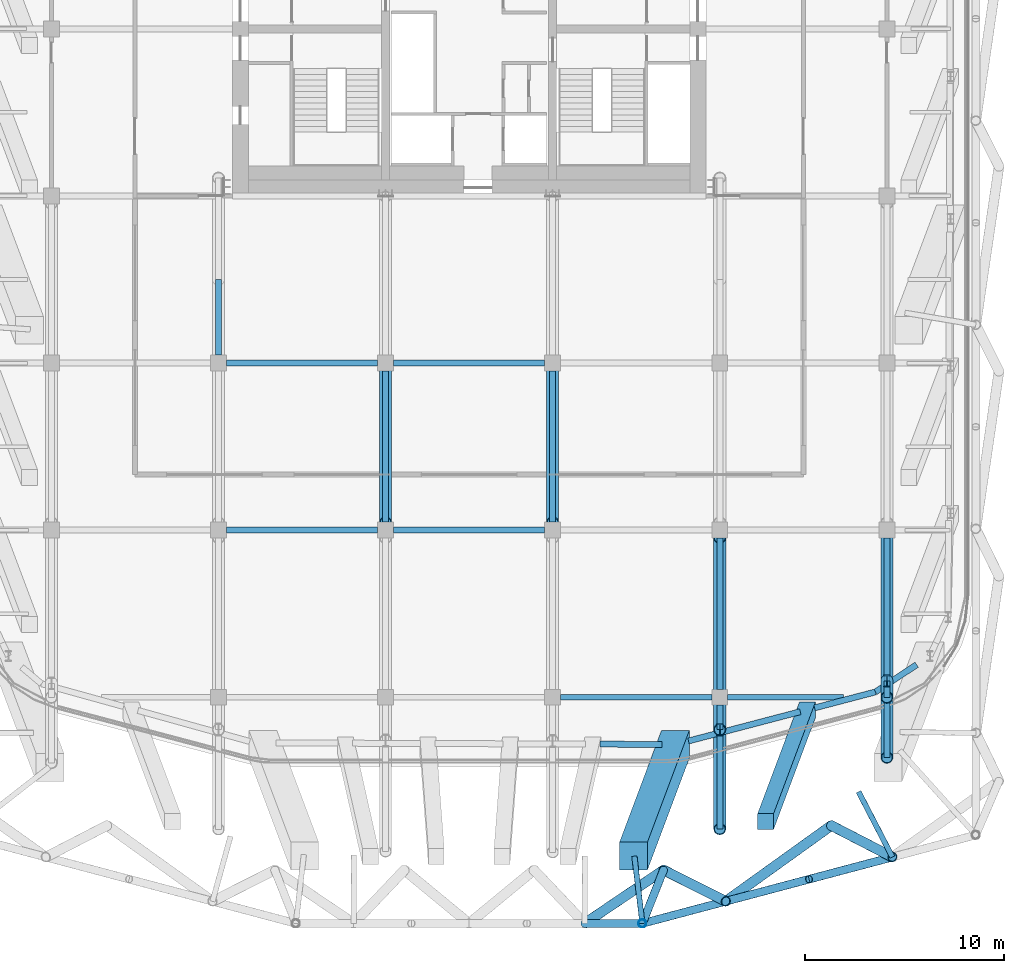
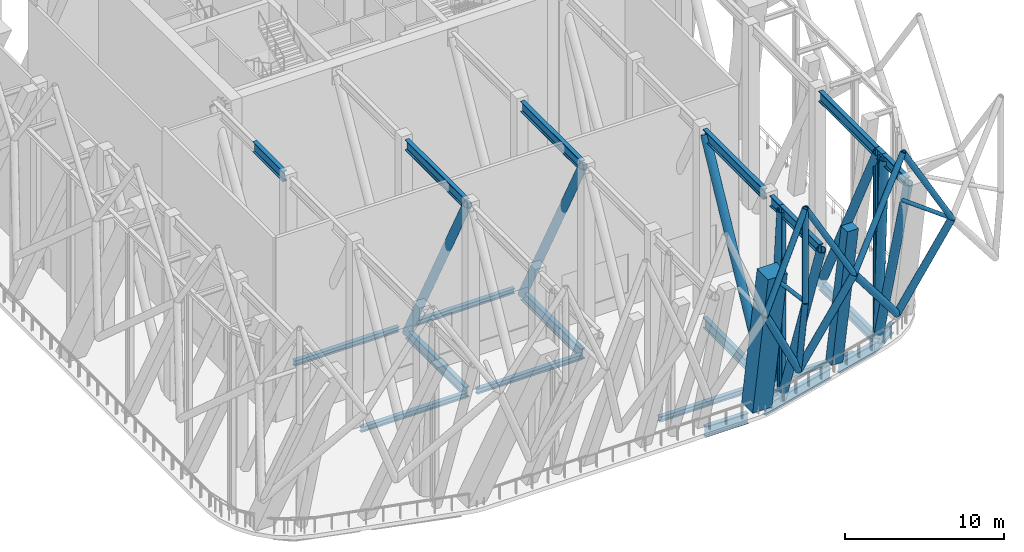
# One storey, part 4 of 20: 32 beams, 16 members.
"""IFC4 building model written with IfcOpenShell, lengths in metres."""

from ifc_helpers import new_model, si_unit, direction, frame, origin, origin_2d, place, context, subcontext, project, spatial, rectangle, hollow_circle, i_section, extrude, material, material_profile, profile_set, type_object, element, save


model = new_model("IFC4")

# Units and contexts
model_context = context("Model", 3, precision=1e-05, world=origin(), true_north=direction((0.0, 1.0)))
body_context = subcontext(model_context, "Body", "Model", "MODEL_VIEW")
ifc_project = project(units=[si_unit("LENGTHUNIT", "METRE"), si_unit("AREAUNIT", "SQUARE_METRE"), si_unit("VOLUMEUNIT", "CUBIC_METRE"), si_unit("PLANEANGLEUNIT", "RADIAN"), si_unit("MASSUNIT", "GRAM", prefix="KILO")], contexts=[model_context])

# Site, building, storey
site_placement = place(None, origin())
site = spatial("IfcSite", under=ifc_project, at=site_placement, CompositionType="ELEMENT")
building_placement = place(site_placement, origin())
building = spatial("IfcBuilding", under=site, at=building_placement, Name="Marenta Gate Hotel Tower", CompositionType="ELEMENT")
storey_placement = place(building_placement, frame((0.0, 0.0, 252.5)))
storey = spatial("IfcBuildingStorey", under=building, at=storey_placement, Name="L60", CompositionType="ELEMENT", Elevation=252.5)

# Members
ifc_material_1 = material(Name="Steel S355J2W", Category="steel")
ifc_material_profile_1 = material_profile(ifc_material_1, hollow_circle(Radius=0.203125, WallThickness=0.02490234375, at=origin_2d()), Name="CHS 406.4x25")
ifc_profile_set_1 = profile_set([ifc_material_profile_1], Name="Steel S355J2W")
member_type_1 = type_object("IfcMemberType", Name="Diagrid corner post Z3 CHS 406.4x25", PredefinedType="POST", material=ifc_profile_set_1)
member_1_placement = place(storey_placement, frame((9.77392578125, -33.885009765625, 6.739990234375), z_axis=(-0.137274232816, -0.34611233666, 0.928095919298), x_axis=(0.929556929087, -0.368678607445, 0.0)))
element("IfcMember", 1, at=member_1_placement, inside=storey, type_object=member_type_1, Name="L60-DR-3", PredefinedType="POST", context=body_context, shape_type="SweptSolid", body=[
    extrude(hollow_circle(Radius=0.203125, WallThickness=0.02490234375, at=origin_2d()), origin(), (0.0, 0.0, 1.0), 7.7578125),
])
ifc_material_2 = material(Name="Steel S355J2W", Category="steel")
ifc_material_profile_2 = material_profile(ifc_material_2, hollow_circle(Radius=0.203125, WallThickness=0.01611328125, at=origin_2d()), Name="CHS 406.4x16")
ifc_profile_set_2 = profile_set([ifc_material_profile_2], Name="Steel S355J2W")
member_type_2 = type_object("IfcMemberType", Name="Diagrid corner post Z4 CHS 406.4x16", PredefinedType="POST", material=ifc_profile_set_2)
member_2_placement = place(storey_placement, frame((8.708984375, -36.570068359375, 13.93994140625), z_axis=(0.0, 0.0, 1.0), x_axis=(1.0, 0.0, 0.0)))
element("IfcMember", 2, at=member_2_placement, inside=storey, type_object=member_type_2, Name="L60-DR-9", PredefinedType="POST", context=body_context, shape_type="SweptSolid", body=[
    extrude(hollow_circle(Radius=0.203125, WallThickness=0.01611328125, at=origin_2d()), origin(), (0.0, 0.0, 1.0), 7.199951171875),
])
ifc_material_3 = material(Name="Steel S355J2W", Category="steel")
ifc_material_profile_3 = material_profile(ifc_material_3, hollow_circle(Radius=0.25390625, WallThickness=0.0400390625, at=origin_2d()), Name="CHS 508x40")
ifc_profile_set_3 = profile_set([ifc_material_profile_3], Name="Steel S355J2W")
member_type_3 = type_object("IfcMemberType", Name="Diagrid diagonal T3 CHS 508x40", PredefinedType="BRACE", material=ifc_profile_set_3)
member_3_placement = place(storey_placement, frame((18.20458984375, -31.648193359375, 6.739990234375), z_axis=(0.384960287147, -0.198623126879, 0.901307067979), x_axis=(0.458522506258, 0.888682795634, 0.0)))
element("IfcMember", 3, at=member_3_placement, inside=storey, type_object=member_type_3, Name="L60-DG-12", PredefinedType="BRACE", context=body_context, shape_type="SweptSolid", body=[
    extrude(hollow_circle(Radius=0.25390625, WallThickness=0.0400390625, at=origin_2d()), origin(), (0.0, 0.0, 1.0), 7.98828125),
])
member_4_placement = place(storey_placement, frame((18.20458984375, -31.648193359375, 6.739990234375), z_axis=(-0.545735479008, -0.391935015435, 0.740648182762), x_axis=(0.583329468856, -0.812235637463, 0.0)))
element("IfcMember", 4, at=member_4_placement, inside=storey, type_object=member_type_3, Name="L60-DG-13", PredefinedType="BRACE", context=body_context, shape_type="SweptSolid", body=[
    extrude(hollow_circle(Radius=0.25390625, WallThickness=0.0400390625, at=origin_2d()), origin(), (0.0, 0.0, 1.0), 9.72119140625),
])
member_5_placement = place(storey_placement, frame((9.77392578125, -33.885009765625, 6.739990234375), z_axis=(0.390432748257, -0.196527779235, 0.899410418595), x_axis=(0.449612149483, 0.893223888528, 0.0)))
element("IfcMember", 5, at=member_5_placement, inside=storey, type_object=member_type_3, Name="L60-DG-14", PredefinedType="BRACE", context=body_context, shape_type="SweptSolid", body=[
    extrude(hollow_circle(Radius=0.25390625, WallThickness=0.0400390625, at=origin_2d()), origin(), (0.0, 0.0, 1.0), 8.005126953125),
])
member_6_placement = place(storey_placement, frame((9.77392578125, -33.885009765625, 6.739990234375), z_axis=(-0.458817746261, -0.310470533032, 0.832522866854), x_axis=(0.560425550296, -0.828204807143, 0.0)))
element("IfcMember", 6, at=member_6_placement, inside=storey, type_object=member_type_3, Name="L60-DG-15", PredefinedType="BRACE", context=body_context, shape_type="SweptSolid", body=[
    extrude(hollow_circle(Radius=0.25390625, WallThickness=0.0400390625, at=origin_2d()), origin(), (0.0, 0.0, 1.0), 8.6484375),
])
ifc_material_4 = material(Name="Steel S355J2W", Category="steel")
ifc_material_profile_4 = material_profile(ifc_material_4, hollow_circle(Radius=0.203125, WallThickness=0.02490234375, at=origin_2d()), Name="CHS 406.4x25")
ifc_profile_set_4 = profile_set([ifc_material_profile_4], Name="Steel S355J2W")
member_type_4 = type_object("IfcMemberType", Name="Diagrid diagonal Z4 CHS 406.4x25", PredefinedType="BRACE", material=ifc_profile_set_4)
for number, where, z_axis, x_axis, name in (
    (7, (21.27978515625, -33.23486328125, 13.93994140625), (-0.498573463173, -0.132290599038, 0.856693468649), (0.256463689668, -0.966553866001, 0.0), "L60-DG-46"),
    (8, (12.8994140625, -35.458251953125, 13.93994140625), (0.498575378967, 0.132262057941, 0.856696760538), (-0.256411076507, 0.966567824751, 0.0), "L60-DG-47"),
):
    element("IfcMember", number, at=place(storey_placement, frame(where, z_axis=z_axis, x_axis=x_axis)), inside=storey, type_object=member_type_4, Name=name, PredefinedType="BRACE", context=body_context, shape_type="SweptSolid", body=[
        extrude(hollow_circle(Radius=0.203125, WallThickness=0.02490234375, at=origin_2d()), origin(), (0.0, 0.0, 1.0), 8.404296875),
    ])
member_7_placement = place(storey_placement, frame((12.8994140625, -35.458251953125, 13.93994140625), z_axis=(-0.498595291069, -0.13228868303, 0.856681060878), x_axis=(0.256449730421, -0.966557569815, 0.0)))
element("IfcMember", 9, at=member_7_placement, inside=storey, type_object=member_type_4, Name="L60-DG-48", PredefinedType="BRACE", context=body_context, shape_type="SweptSolid", body=[
    extrude(hollow_circle(Radius=0.203125, WallThickness=0.02490234375, at=origin_2d()), origin(), (0.0, 0.0, 1.0), 8.404541015625),
])
member_8_placement = place(storey_placement, frame((5.805908203125, -36.570068359375, 13.93994140625), z_axis=(0.373953937689, 0.0, 0.92744727747), x_axis=(0.0, 1.0, 0.0)))
element("IfcMember", 10, at=member_8_placement, inside=storey, type_object=member_type_4, Name="L60-DG-49", PredefinedType="BRACE", context=body_context, shape_type="SweptSolid", body=[
    extrude(hollow_circle(Radius=0.203125, WallThickness=0.02490234375, at=origin_2d()), origin(), (0.0, 0.0, 1.0), 7.76318359375),
])

# Beams
ifc_material_5 = material(Name="Steel S355", Category="steel")
ifc_material_profile_5 = material_profile(ifc_material_5, i_section(OverallWidth=0.302978515625, OverallDepth=0.81396484375, WebThickness=0.030029296875, FlangeThickness=0.052001953125, FilletRadius=0.030029296875, at=origin_2d()), Name="HEM 800")
ifc_profile_set_5 = profile_set([ifc_material_profile_5], Name="Steel S355")
beam_type_1 = type_object("IfcBeamType", Name="Edge beam HEM 800", PredefinedType="SPANDREL", material=ifc_profile_set_5)
beam_1_placement = place(storey_placement, frame((22.496337890625, -23.56640625, -0.70703125), z_axis=(-0.834528740585, -0.550964410047, 0.0), x_axis=(0.550964410047, -0.834528740585, 0.0)))
element("IfcBeam", 11, at=beam_1_placement, inside=storey, type_object=beam_type_1, Name="L60-EB-29", PredefinedType="SPANDREL", context=body_context, shape_type="SweptSolid", body=[
    extrude(i_section(OverallWidth=0.302978515625, OverallDepth=0.81396484375, WebThickness=0.030029296875, FlangeThickness=0.052001953125, FilletRadius=0.030029296875, at=origin_2d()), origin(), (0.0, 0.0, 1.0), 2.47705078125),
])
beam_2_placement = place(storey_placement, frame((20.42919921875, -24.93115234375, -0.70703125), z_axis=(-0.967235227858, -0.253881889845, 0.0), x_axis=(0.253881889845, -0.967235227858, 0.0)))
element("IfcBeam", 12, at=beam_2_placement, inside=storey, type_object=beam_type_1, Name="L60-EB-30", PredefinedType="SPANDREL", context=body_context, shape_type="SweptSolid", body=[
    extrude(i_section(OverallWidth=0.302978515625, OverallDepth=0.81396484375, WebThickness=0.030029296875, FlangeThickness=0.052001953125, FilletRadius=0.030029296875, at=origin_2d()), origin(), (0.0, 0.0, 1.0), 3.164794921875),
])
beam_3_placement = place(storey_placement, frame((16.6455078125, -25.92431640625, -0.70703125), z_axis=(-0.96723496524, -0.253882890359, 0.0), x_axis=(0.253882890359, -0.96723496524, 0.0)))
element("IfcBeam", 13, at=beam_3_placement, inside=storey, type_object=beam_type_1, Name="L60-EB-31", PredefinedType="SPANDREL", context=body_context, shape_type="SweptSolid", body=[
    extrude(i_section(OverallWidth=0.302978515625, OverallDepth=0.81396484375, WebThickness=0.030029296875, FlangeThickness=0.052001953125, FilletRadius=0.030029296875, at=origin_2d()), origin(), (0.0, 0.0, 1.0), 5.80810546875),
])
beam_4_placement = place(storey_placement, frame((9.706298828125, -27.570068359375, -0.70703125), z_axis=(-0.999992678531, 0.003826602206, 0.0), x_axis=(-0.003826602206, -0.999992678531, 0.0)))
element("IfcBeam", 14, at=beam_4_placement, inside=storey, type_object=beam_type_1, Name="L60-EB-32", PredefinedType="SPANDREL", context=body_context, shape_type="SweptSolid", body=[
    extrude(i_section(OverallWidth=0.302978515625, OverallDepth=0.81396484375, WebThickness=0.030029296875, FlangeThickness=0.052001953125, FilletRadius=0.030029296875, at=origin_2d()), origin(), (0.0, 0.0, 1.0), 3.126220703125),
])

# Members
ifc_material_6 = material(Name="Concrete C60", Category="concrete")
ifc_material_profile_6 = material_profile(ifc_material_6, rectangle(XDim=0.800048828125, YDim=0.800048828125, at=origin_2d()), Name="800 x 800")
ifc_profile_set_6 = profile_set([ifc_material_profile_6], Name="Concrete C60")
member_type_5 = type_object("IfcMemberType", Name="Edge column raked 800 x 800 C60", PredefinedType="STRUT", material=ifc_profile_set_6)
member_9_placement = place(storey_placement, frame((17.0068359375, -25.839111328125, 0.0), z_axis=(0.0, 0.0, 1.0), x_axis=(1.0, 0.0, 0.0)))
element("IfcMember", 15, at=member_9_placement, inside=storey, type_object=member_type_5, Name="L60-EC-SE-SKE-1", PredefinedType="STRUT", context=body_context, shape_type="SweptSolid", body=[
    extrude(rectangle(XDim=0.800048828125, YDim=0.800048828125, at=origin_2d()), origin(), (-0.134685667796, -0.359151342469, 0.923509655658), 15.592529296875),
])
ifc_material_7 = material(Name="Steel S355J2W", Category="steel")
ifc_material_profile_7 = material_profile(ifc_material_7, hollow_circle(Radius=0.136474609375, WallThickness=0.012451171875, at=origin_2d()), Name="CHS 273x12.5")
ifc_profile_set_7 = profile_set([ifc_material_profile_7], Name="Steel S355J2W")
member_type_6 = type_object("IfcMemberType", Name="Floor tie CHS 273x12.5", PredefinedType="STRUT", material=ifc_profile_set_7)
member_10_placement = place(storey_placement, frame((21.27978515625, -33.23486328125, 13.93994140625), z_axis=(-0.460396179158, 0.8877135564, 0.0), x_axis=(-0.8877135564, -0.460396179158, 0.0)))
element("IfcMember", 16, at=member_10_placement, inside=storey, type_object=member_type_6, Name="L60-DR-18", PredefinedType="STRUT", context=body_context, shape_type="SweptSolid", body=[
    extrude(hollow_circle(Radius=0.136474609375, WallThickness=0.012451171875, at=origin_2d()), origin(), (0.0, 0.0, 1.0), 3.69775390625),
])
member_11_placement = place(storey_placement, frame((8.708984375, -36.570068359375, 13.93994140625), z_axis=(-0.117706313055, 0.993048449909, 0.0), x_axis=(-0.993048449909, -0.117706313055, 0.0)))
element("IfcMember", 17, at=member_11_placement, inside=storey, type_object=member_type_6, Name="L60-DR-19", PredefinedType="STRUT", context=body_context, shape_type="SweptSolid", body=[
    extrude(hollow_circle(Radius=0.136474609375, WallThickness=0.012451171875, at=origin_2d()), origin(), (0.0, 0.0, 1.0), 3.40576171875),
])

# Beams
ifc_material_8 = material(Name="Steel S355", Category="steel")
ifc_material_profile_8 = material_profile(ifc_material_8, i_section(OverallWidth=0.300048828125, OverallDepth=0.39990234375, WebThickness=0.013427734375, FlangeThickness=0.02392578125, FilletRadius=0.027099609375, at=origin_2d()), Name="HEB 400")
ifc_profile_set_8 = profile_set([ifc_material_profile_8], Name="Steel S355")
beam_type_2 = type_object("IfcBeamType", Name="Girder HEB 400", PredefinedType="BEAM", material=ifc_profile_set_8)
beam_5_placement = place(storey_placement, frame((4.60009765625, -25.199951171875, -0.5), z_axis=(1.0, 0.0, 0.0), x_axis=(0.0, 1.0, 0.0)))
element("IfcBeam", 18, at=beam_5_placement, inside=storey, type_object=beam_type_2, Name="L60-GD-4", PredefinedType="BEAM", context=body_context, shape_type="SweptSolid", body=[
    extrude(i_section(OverallWidth=0.300048828125, OverallDepth=0.39990234375, WebThickness=0.013427734375, FlangeThickness=0.02392578125, FilletRadius=0.027099609375, at=origin_2d()), origin(), (0.0, 0.0, 1.0), 7.599853515625),
])
beam_6_placement = place(storey_placement, frame((13.0, -25.199951171875, -0.5), z_axis=(1.0, 0.0, 0.0), x_axis=(0.0, 1.0, 0.0)))
element("IfcBeam", 19, at=beam_6_placement, inside=storey, type_object=beam_type_2, Name="L60-GD-5", PredefinedType="BEAM", context=body_context, shape_type="SweptSolid", body=[
    extrude(i_section(OverallWidth=0.300048828125, OverallDepth=0.39990234375, WebThickness=0.013427734375, FlangeThickness=0.02392578125, FilletRadius=0.027099609375, at=origin_2d()), origin(), (0.0, 0.0, 1.0), 5.80810546875),
])
beam_7_placement = place(storey_placement, frame((-12.199951171875, -16.800048828125, -0.5), z_axis=(1.0, 0.0, 0.0), x_axis=(0.0, 1.0, 0.0)))
element("IfcBeam", 20, at=beam_7_placement, inside=storey, type_object=beam_type_2, Name="L60-GD-8", PredefinedType="BEAM", context=body_context, shape_type="SweptSolid", body=[
    extrude(i_section(OverallWidth=0.300048828125, OverallDepth=0.39990234375, WebThickness=0.013427734375, FlangeThickness=0.02392578125, FilletRadius=0.027099609375, at=origin_2d()), origin(), (0.0, 0.0, 1.0), 7.599853515625),
])
beam_8_placement = place(storey_placement, frame((-3.800048828125, -16.800048828125, -0.5), z_axis=(1.0, 0.0, 0.0), x_axis=(0.0, 1.0, 0.0)))
element("IfcBeam", 21, at=beam_8_placement, inside=storey, type_object=beam_type_2, Name="L60-GD-9", PredefinedType="BEAM", context=body_context, shape_type="SweptSolid", body=[
    extrude(i_section(OverallWidth=0.300048828125, OverallDepth=0.39990234375, WebThickness=0.013427734375, FlangeThickness=0.02392578125, FilletRadius=0.027099609375, at=origin_2d()), origin(), (0.0, 0.0, 1.0), 7.60009765625),
])
beam_9_placement = place(storey_placement, frame((-12.199951171875, -8.39990234375, -0.5), z_axis=(1.0, 0.0, 0.0), x_axis=(0.0, 1.0, 0.0)))
element("IfcBeam", 22, at=beam_9_placement, inside=storey, type_object=beam_type_2, Name="L60-GD-15", PredefinedType="BEAM", context=body_context, shape_type="SweptSolid", body=[
    extrude(i_section(OverallWidth=0.300048828125, OverallDepth=0.39990234375, WebThickness=0.013427734375, FlangeThickness=0.02392578125, FilletRadius=0.027099609375, at=origin_2d()), origin(), (0.0, 0.0, 1.0), 7.599853515625),
])
beam_10_placement = place(storey_placement, frame((-3.800048828125, -8.39990234375, -0.5), z_axis=(1.0, 0.0, 0.0), x_axis=(0.0, 1.0, 0.0)))
element("IfcBeam", 23, at=beam_10_placement, inside=storey, type_object=beam_type_2, Name="L60-GD-16", PredefinedType="BEAM", context=body_context, shape_type="SweptSolid", body=[
    extrude(i_section(OverallWidth=0.300048828125, OverallDepth=0.39990234375, WebThickness=0.013427734375, FlangeThickness=0.02392578125, FilletRadius=0.027099609375, at=origin_2d()), origin(), (0.0, 0.0, 1.0), 7.60009765625),
])

# Member
ifc_material_9 = material(Name="Concrete C60", Category="concrete")
ifc_material_profile_9 = material_profile(ifc_material_9, rectangle(XDim=1.39990234375, YDim=1.39990234375, at=origin_2d()), Name="1400 x 1400")
ifc_profile_set_9 = profile_set([ifc_material_profile_9], Name="Concrete C60")
member_type_7 = type_object("IfcMemberType", Name="Mega column raked 1400 x 1400 C60", PredefinedType="STRUT", material=ifc_profile_set_9)
member_12_placement = place(storey_placement, frame((10.3662109375, -27.57470703125, 0.0), z_axis=(0.0, 0.0, 1.0), x_axis=(1.0, 0.0, 0.0)))
element("IfcMember", 24, at=member_12_placement, inside=storey, type_object=member_type_7, Name="L60-MC-SKE", PredefinedType="STRUT", context=body_context, shape_type="SweptSolid", body=[
    extrude(rectangle(XDim=1.39990234375, YDim=1.39990234375, at=origin_2d()), origin(), (-0.134670294295, -0.359152099819, 0.923511603084), 15.592529296875),
])

# Beams
ifc_material_10 = material(Name="Steel S355", Category="steel")
ifc_material_profile_10 = material_profile(ifc_material_10, i_section(OverallWidth=0.302978515625, OverallDepth=0.81396484375, WebThickness=0.030029296875, FlangeThickness=0.052001953125, FilletRadius=0.030029296875, at=origin_2d()), Name="HEM 800")
ifc_profile_set_10 = profile_set([ifc_material_profile_10], Name="Steel S355")
beam_type_3 = type_object("IfcBeamType", Name="Outrigger truss chord HEM 800", PredefinedType="BEAM", material=ifc_profile_set_10)
beam_11_placement = place(storey_placement, frame((-12.60009765625, -4.199951171875, 13.73291015625), z_axis=(0.0, -1.0, 0.0), x_axis=(1.0, 0.0, 0.0)))
element("IfcBeam", 25, at=beam_11_placement, inside=storey, type_object=beam_type_3, Name="TC-HEM800 Outrigger truss T3-5 chord", PredefinedType="BEAM", context=body_context, shape_type="SweptSolid", body=[
    extrude(i_section(OverallWidth=0.302978515625, OverallDepth=0.81396484375, WebThickness=0.030029296875, FlangeThickness=0.052001953125, FilletRadius=0.030029296875, at=origin_2d()), origin(), (0.0, 0.0, 1.0), 3.800048828125),
])
for number, where, z_axis, x_axis, name in (
    (26, (-4.199951171875, -8.800048828125, -0.70703125), (0.0, -1.0, 0.0), (1.0, 0.0, 0.0), "TC-HEM800 Outrigger truss T3-6 chord"),
    (27, (-4.199951171875, -8.800048828125, 13.73291015625), (0.0, -1.0, 0.0), (1.0, 0.0, 0.0), "TC-HEM800 Outrigger truss T3-6 chord"),
    (28, (4.199951171875, -8.800048828125, -0.70703125), (0.0, -1.0, 0.0), (1.0, 0.0, 0.0), "TC-HEM800 Outrigger truss T3-7 chord"),
    (29, (4.199951171875, -8.800048828125, 13.73291015625), (0.0, -1.0, 0.0), (1.0, 0.0, 0.0), "TC-HEM800 Outrigger truss T3-7 chord"),
):
    element("IfcBeam", number, at=place(storey_placement, frame(where, z_axis=z_axis, x_axis=x_axis)), inside=storey, type_object=beam_type_3, Name=name, PredefinedType="BEAM", context=body_context, shape_type="SweptSolid", body=[
        extrude(i_section(OverallWidth=0.302978515625, OverallDepth=0.81396484375, WebThickness=0.030029296875, FlangeThickness=0.052001953125, FilletRadius=0.030029296875, at=origin_2d()), origin(), (0.0, 0.0, 1.0), 7.599853515625),
    ])
beam_12_placement = place(storey_placement, frame((12.60009765625, -17.199951171875, -0.70703125), z_axis=(0.0, -1.0, 0.0), x_axis=(1.0, 0.0, 0.0)))
element("IfcBeam", 30, at=beam_12_placement, inside=storey, type_object=beam_type_3, Name="TC-HEM800 Outrigger truss T3-8 chord", PredefinedType="BEAM", context=body_context, shape_type="SweptSolid", body=[
    extrude(i_section(OverallWidth=0.302978515625, OverallDepth=0.81396484375, WebThickness=0.030029296875, FlangeThickness=0.052001953125, FilletRadius=0.030029296875, at=origin_2d()), origin(), (0.0, 0.0, 1.0), 7.60009765625),
])
beam_13_placement = place(storey_placement, frame((12.60009765625, -25.60009765625, -0.70703125), z_axis=(0.0, -1.0, 0.0), x_axis=(1.0, 0.0, 0.0)))
element("IfcBeam", 31, at=beam_13_placement, inside=storey, type_object=beam_type_3, Name="TC-HEM800 Outrigger truss T3-8 chord", PredefinedType="BEAM", context=body_context, shape_type="SweptSolid", body=[
    extrude(i_section(OverallWidth=0.302978515625, OverallDepth=0.81396484375, WebThickness=0.030029296875, FlangeThickness=0.052001953125, FilletRadius=0.030029296875, at=origin_2d()), origin(), (0.0, 0.0, 1.0), 1.2294921875),
])
beam_14_placement = place(storey_placement, frame((12.60009765625, -17.199951171875, 13.73291015625), z_axis=(0.0, -1.0, 0.0), x_axis=(1.0, 0.0, 0.0)))
element("IfcBeam", 32, at=beam_14_placement, inside=storey, type_object=beam_type_3, Name="TC-HEM800 Outrigger truss T3-8 chord", PredefinedType="BEAM", context=body_context, shape_type="SweptSolid", body=[
    extrude(i_section(OverallWidth=0.302978515625, OverallDepth=0.81396484375, WebThickness=0.030029296875, FlangeThickness=0.052001953125, FilletRadius=0.030029296875, at=origin_2d()), origin(), (0.0, 0.0, 1.0), 7.60009765625),
])
beam_15_placement = place(storey_placement, frame((12.60009765625, -25.60009765625, 13.73291015625), z_axis=(0.0, -1.0, 0.0), x_axis=(1.0, 0.0, 0.0)))
element("IfcBeam", 33, at=beam_15_placement, inside=storey, type_object=beam_type_3, Name="TC-HEM800 Outrigger truss T3-8 chord", PredefinedType="BEAM", context=body_context, shape_type="SweptSolid", body=[
    extrude(i_section(OverallWidth=0.302978515625, OverallDepth=0.81396484375, WebThickness=0.030029296875, FlangeThickness=0.052001953125, FilletRadius=0.030029296875, at=origin_2d()), origin(), (0.0, 0.0, 1.0), 1.2294921875),
])
beam_16_placement = place(storey_placement, frame((12.60009765625, -26.82958984375, 13.73291015625), z_axis=(0.0, -1.0, 0.0), x_axis=(1.0, 0.0, 0.0)))
element("IfcBeam", 34, at=beam_16_placement, inside=storey, type_object=beam_type_3, Name="TC-HEM800 Outrigger truss T3-8 chord", PredefinedType="BEAM", context=body_context, shape_type="SweptSolid", body=[
    extrude(i_section(OverallWidth=0.302978515625, OverallDepth=0.81396484375, WebThickness=0.030029296875, FlangeThickness=0.052001953125, FilletRadius=0.030029296875, at=origin_2d()), origin(), (0.0, 0.0, 1.0), 4.996826171875),
])
for number, where, z_axis, x_axis, name in (
    (35, (21.0, -17.199951171875, -0.70703125), (0.0, -1.0, 0.0), (1.0, 0.0, 0.0), "TC-HEM800 Outrigger truss T3-9 chord"),
    (36, (21.0, -17.199951171875, 13.73291015625), (0.0, -1.0, 0.0), (1.0, 0.0, 0.0), "TC-HEM800 Outrigger truss T3-9 chord"),
):
    element("IfcBeam", number, at=place(storey_placement, frame(where, z_axis=z_axis, x_axis=x_axis)), inside=storey, type_object=beam_type_3, Name=name, PredefinedType="BEAM", context=body_context, shape_type="SweptSolid", body=[
        extrude(i_section(OverallWidth=0.302978515625, OverallDepth=0.81396484375, WebThickness=0.030029296875, FlangeThickness=0.052001953125, FilletRadius=0.030029296875, at=origin_2d()), origin(), (0.0, 0.0, 1.0), 7.1728515625),
    ])
beam_17_placement = place(storey_placement, frame((21.0, -24.372802734375, 13.73291015625), z_axis=(0.0, -1.0, 0.0), x_axis=(1.0, 0.0, 0.0)))
element("IfcBeam", 37, at=beam_17_placement, inside=storey, type_object=beam_type_3, Name="TC-HEM800 Outrigger truss T3-9 chord", PredefinedType="BEAM", context=body_context, shape_type="SweptSolid", body=[
    extrude(i_section(OverallWidth=0.302978515625, OverallDepth=0.81396484375, WebThickness=0.030029296875, FlangeThickness=0.052001953125, FilletRadius=0.030029296875, at=origin_2d()), origin(), (0.0, 0.0, 1.0), 0.8271484375),
])
beam_18_placement = place(storey_placement, frame((21.0, -25.199951171875, 13.73291015625), z_axis=(0.0, -1.0, 0.0), x_axis=(1.0, 0.0, 0.0)))
element("IfcBeam", 38, at=beam_18_placement, inside=storey, type_object=beam_type_3, Name="TC-HEM800 Outrigger truss T3-9 chord", PredefinedType="BEAM", context=body_context, shape_type="SweptSolid", body=[
    extrude(i_section(OverallWidth=0.302978515625, OverallDepth=0.81396484375, WebThickness=0.030029296875, FlangeThickness=0.052001953125, FilletRadius=0.030029296875, at=origin_2d()), origin(), (0.0, 0.0, 1.0), 3.0302734375),
])
ifc_material_11 = material(Name="Steel S355", Category="steel")
ifc_material_profile_11 = material_profile(ifc_material_11, hollow_circle(Radius=0.304931640625, WallThickness=0.0400390625, at=origin_2d()), Name="CHS 610x40")
ifc_profile_set_11 = profile_set([ifc_material_profile_11], Name="Steel S355")
beam_type_4 = type_object("IfcBeamType", Name="Outrigger truss diagonal CHS 610x40", PredefinedType="BEAM", material=ifc_profile_set_11)
for number, where, z_axis, x_axis, name in (
    (39, (-4.199951171875, -8.800048828125, -0.70703125), (0.0, -0.465740883061, 0.884921143292), (1.0, 0.0, 0.0), "Outrigger truss T3-6 diagonal"),
    (40, (4.199951171875, -8.800048828125, -0.70703125), (0.0, -0.465740883061, 0.884921143292), (1.0, 0.0, 0.0), "Outrigger truss T3-7 diagonal"),
    (41, (12.60009765625, -17.199951171875, 13.73291015625), (0.0, -0.465752599181, -0.884914976908), (1.0, 0.0, 0.0), "Outrigger truss T3-8 diagonal"),
):
    element("IfcBeam", number, at=place(storey_placement, frame(where, z_axis=z_axis, x_axis=x_axis)), inside=storey, type_object=beam_type_4, Name=name, PredefinedType="BEAM", context=body_context, shape_type="SweptSolid", body=[
        extrude(hollow_circle(Radius=0.304931640625, WallThickness=0.0400390625, at=origin_2d()), origin(), (0.0, 0.0, 1.0), 16.31787109375),
    ])
beam_19_placement = place(storey_placement, frame((12.60009765625, -25.60009765625, -0.70703125), z_axis=(0.0, -0.08483826275, 0.996394735621), x_axis=(1.0, 0.0, 0.0)))
element("IfcBeam", 42, at=beam_19_placement, inside=storey, type_object=beam_type_4, Name="Outrigger truss T3-8 diagonal", PredefinedType="BEAM", context=body_context, shape_type="SweptSolid", body=[
    extrude(hollow_circle(Radius=0.304931640625, WallThickness=0.0400390625, at=origin_2d()), origin(), (0.0, 0.0, 1.0), 14.4921875),
])
beam_20_placement = place(storey_placement, frame((12.60009765625, -26.82958984375, -0.70703125), z_axis=(0.0, -0.327016173344, 0.94501874181), x_axis=(1.0, 0.0, 0.0)))
element("IfcBeam", 43, at=beam_20_placement, inside=storey, type_object=beam_type_4, Name="Outrigger truss T3-8 diagonal", PredefinedType="BEAM", context=body_context, shape_type="SweptSolid", body=[
    extrude(hollow_circle(Radius=0.304931640625, WallThickness=0.0400390625, at=origin_2d()), origin(), (0.0, 0.0, 1.0), 15.280029296875),
])
beam_21_placement = place(storey_placement, frame((21.0, -17.199951171875, -0.70703125), z_axis=(0.0, -0.444874131507, 0.895593103544), x_axis=(1.0, 0.0, 0.0)))
element("IfcBeam", 44, at=beam_21_placement, inside=storey, type_object=beam_type_4, Name="Outrigger truss T3-9 diagonal", PredefinedType="BEAM", context=body_context, shape_type="SweptSolid", body=[
    extrude(hollow_circle(Radius=0.304931640625, WallThickness=0.0400390625, at=origin_2d()), origin(), (0.0, 0.0, 1.0), 16.123291015625),
])
beam_22_placement = place(storey_placement, frame((21.0, -24.372802734375, -0.70703125), z_axis=(0.0, -0.057188233285, 0.99836341378), x_axis=(1.0, 0.0, 0.0)))
element("IfcBeam", 45, at=beam_22_placement, inside=storey, type_object=beam_type_4, Name="Outrigger truss T3-9 diagonal", PredefinedType="BEAM", context=body_context, shape_type="SweptSolid", body=[
    extrude(hollow_circle(Radius=0.304931640625, WallThickness=0.0400390625, at=origin_2d()), origin(), (0.0, 0.0, 1.0), 14.463623046875),
])
beam_23_placement = place(storey_placement, frame((21.0, -24.372802734375, -0.70703125), z_axis=(0.0, -0.258070314792, 0.966126137015), x_axis=(1.0, 0.0, 0.0)))
element("IfcBeam", 46, at=beam_23_placement, inside=storey, type_object=beam_type_4, Name="Outrigger truss T3-9 diagonal", PredefinedType="BEAM", context=body_context, shape_type="SweptSolid", body=[
    extrude(hollow_circle(Radius=0.304931640625, WallThickness=0.0400390625, at=origin_2d()), origin(), (0.0, 0.0, 1.0), 14.9462890625),
])

# Members
ifc_material_12 = material(Name="Steel S355", Category="steel")
ifc_material_profile_12 = material_profile(ifc_material_12, i_section(OverallWidth=0.304931640625, OverallDepth=0.6201171875, WebThickness=0.02490234375, FlangeThickness=0.0439453125, FilletRadius=0.027099609375, at=origin_2d()), Name="HEM 600")
ifc_profile_set_12 = profile_set([ifc_material_profile_12], Name="Steel S355")
member_type_8 = type_object("IfcMemberType", Name="Outrigger truss post HEM 600", PredefinedType="POST", material=ifc_profile_set_12)
for number, where, z_axis, x_axis, name in (
    (47, (12.60009765625, -26.82958984375, -0.70703125), (0.0, 0.0, 1.0), (1.0, 0.0, 0.0), "TR-HEM600 Outrigger truss T3-8 post"),
    (48, (21.0, -24.372802734375, -0.70703125), (0.0, 0.0, 1.0), (1.0, 0.0, 0.0), "TR-HEM600 Outrigger truss T3-9 post"),
):
    element("IfcMember", number, at=place(storey_placement, frame(where, z_axis=z_axis, x_axis=x_axis)), inside=storey, type_object=member_type_8, Name=name, PredefinedType="POST", context=body_context, shape_type="SweptSolid", body=[
        extrude(i_section(OverallWidth=0.304931640625, OverallDepth=0.6201171875, WebThickness=0.02490234375, FlangeThickness=0.0439453125, FilletRadius=0.027099609375, at=origin_2d()), origin(), (0.0, 0.0, 1.0), 14.43994140625),
    ])

save(model, "model.ifc")
